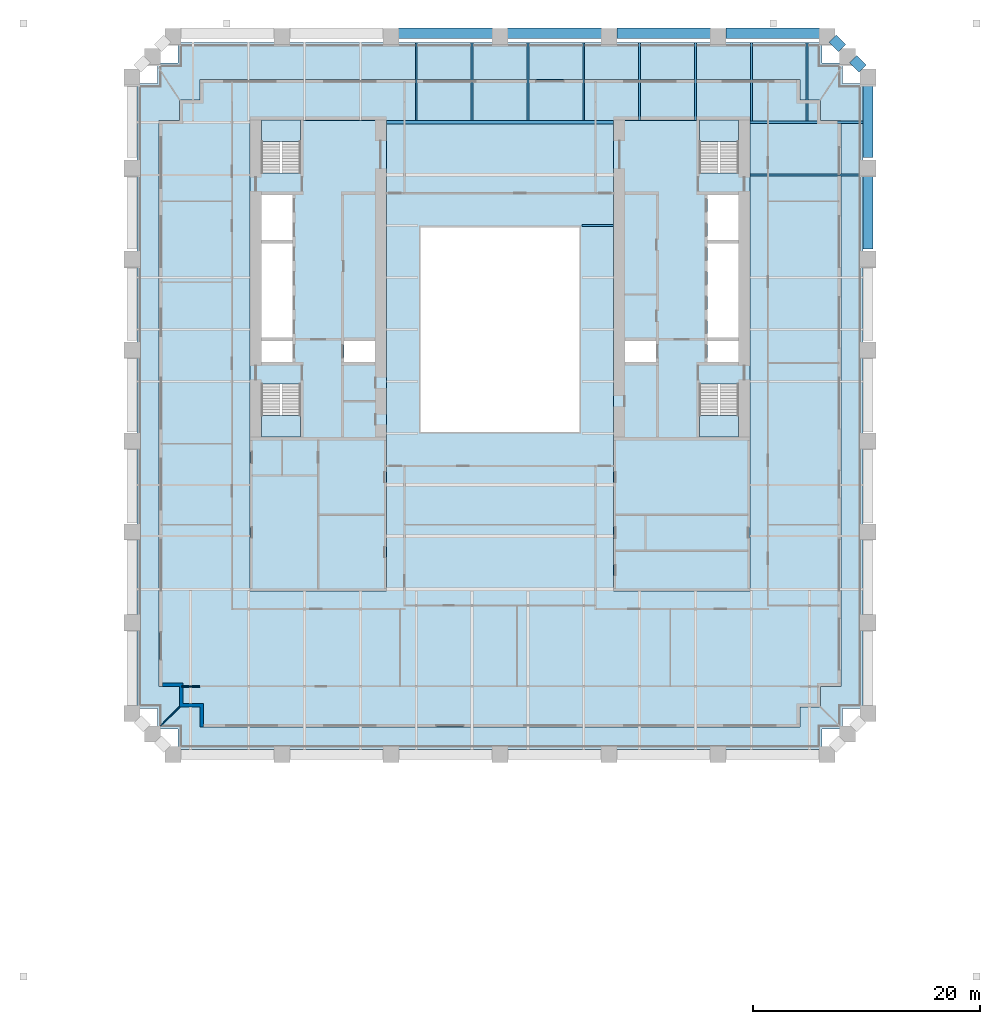
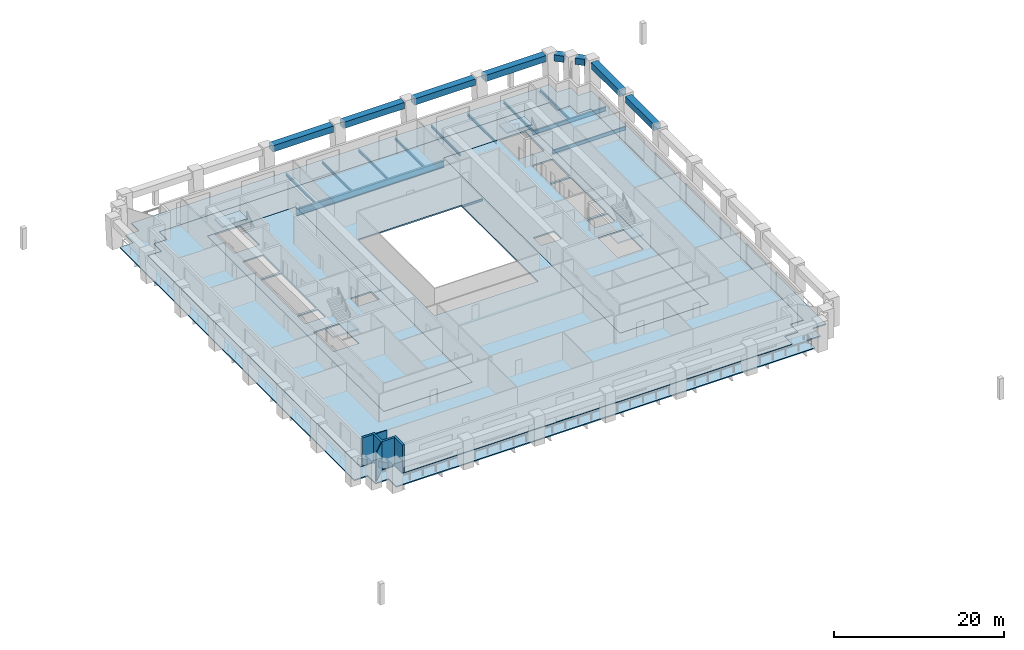
# One storey, part 2 of 10: 20 beams, 8 slabs, 3 walls, 4 elements without a shape of their own.
"""IFC4 building model written with IfcOpenShell, lengths in metres."""

from ifc_helpers import new_model, si_unit, direction, frame, frame_2d, origin, origin_2d, place, context, subcontext, project, spatial, polyline, rectangle, i_section, outline, extrude, material, layer, layer_set, material_profile, profile_set, type_object, element, aggregate, save


model = new_model("IFC4")

# Units and contexts
model_context = context("Model", 3, precision=1e-05, world=origin(), true_north=direction((0.0, 1.0)))
body_context = subcontext(model_context, "Body", "Model", "MODEL_VIEW")
ifc_project = project(units=[si_unit("LENGTHUNIT", "METRE"), si_unit("AREAUNIT", "SQUARE_METRE"), si_unit("VOLUMEUNIT", "CUBIC_METRE"), si_unit("PLANEANGLEUNIT", "RADIAN"), si_unit("MASSUNIT", "GRAM", prefix="KILO")], contexts=[model_context])

# Site, building, storey
site_placement = place(None, origin())
site = spatial("IfcSite", under=ifc_project, at=site_placement, CompositionType="ELEMENT")
building_placement = place(site_placement, origin())
building = spatial("IfcBuilding", under=site, at=building_placement, Name="Ogive Exchange Tower", CompositionType="ELEMENT")
storey_placement = place(building_placement, frame((0.0, 0.0, 48.0)))
storey = spatial("IfcBuildingStorey", under=building, at=storey_placement, Name="L09", CompositionType="ELEMENT", Elevation=48.0)

# Beams
ifc_material_1 = material(Name="Steel ASTM A992 Gr50", Category="steel")
ifc_material_profile_1 = material_profile(ifc_material_1, i_section(OverallWidth=0.1708984375, OverallDepth=0.35595703125, WebThickness=0.00732421875, FlangeThickness=0.01171875, at=origin_2d()), Name="W360x51")
ifc_profile_set_1 = profile_set([ifc_material_profile_1], Name="Steel ASTM A992 Gr50")
beam_type_1 = type_object("IfcBeamType", Name="Floor beam W360x51", PredefinedType="JOIST", material=ifc_profile_set_1)
for number, where, z_axis, x_axis, name in (
    (1, (-7.373046875, 25.39501953125, -0.3779296875), (0.0, 1.0, 0.0), (-1.0, 0.0, 0.0), "Floor beam"),
    (2, (-2.457763671875, 25.39501953125, -0.3779296875), (0.0, 1.0, 0.0), (-1.0, 0.0, 0.0), "Floor beam"),
    (3, (2.457763671875, 25.39501953125, -0.3779296875), (0.0, 1.0, 0.0), (-1.0, 0.0, 0.0), "Floor beam"),
    (4, (7.373046875, 25.39501953125, -0.3779296875), (0.0, 1.0, 0.0), (-1.0, 0.0, 0.0), "Floor beam"),
):
    element("IfcBeam", number, at=place(storey_placement, frame(where, z_axis=z_axis, x_axis=x_axis)), inside=storey, type_object=beam_type_1, Name=name, PredefinedType="JOIST", context=body_context, shape_type="SweptSolid", body=[
        extrude(i_section(OverallWidth=0.1708984375, OverallDepth=0.35595703125, WebThickness=0.00732421875, FlangeThickness=0.01171875, at=origin_2d()), origin(), (0.0, 0.0, 1.0), 6.864013671875),
    ])
for number, where, z_axis, x_axis, name in (
    (5, (12.28857421875, 25.39990234375, -0.3779296875), (0.0, 1.0, 0.0), (-1.0, 0.0, 0.0), "Floor beam"),
    (6, (17.203857421875, 25.39990234375, -0.3779296875), (0.0, 1.0, 0.0), (-1.0, 0.0, 0.0), "Floor beam"),
):
    element("IfcBeam", number, at=place(storey_placement, frame(where, z_axis=z_axis, x_axis=x_axis)), inside=storey, type_object=beam_type_1, Name=name, PredefinedType="JOIST", context=body_context, shape_type="SweptSolid", body=[
        extrude(i_section(OverallWidth=0.1708984375, OverallDepth=0.35595703125, WebThickness=0.00732421875, FlangeThickness=0.01171875, at=origin_2d()), origin(), (0.0, 0.0, 1.0), 6.859130859375),
    ])
for number, where, z_axis, x_axis, name in (
    (7, (22.119140625, 25.35888671875, -0.3779296875), (0.0, 1.0, 0.0), (-1.0, 0.0, 0.0), "Floor beam"),
    (8, (27.03466796875, 25.35888671875, -0.3779296875), (0.0, 1.0, 0.0), (-1.0, 0.0, 0.0), "Floor beam"),
):
    element("IfcBeam", number, at=place(storey_placement, frame(where, z_axis=z_axis, x_axis=x_axis)), inside=storey, type_object=beam_type_1, Name=name, PredefinedType="JOIST", context=body_context, shape_type="SweptSolid", body=[
        extrude(i_section(OverallWidth=0.1708984375, OverallDepth=0.35595703125, WebThickness=0.00732421875, FlangeThickness=0.01171875, at=origin_2d()), origin(), (0.0, 0.0, 1.0), 6.900146484375),
    ])
ifc_material_profile_2 = material_profile(ifc_material_1, i_section(OverallWidth=0.1669921875, OverallDepth=0.535888671875, WebThickness=0.01025390625, FlangeThickness=0.0166015625, at=origin_2d()), Name="W530x85")
ifc_profile_set_2 = profile_set([ifc_material_profile_2], Name="Steel ASTM A992 Gr50")
beam_type_2 = type_object("IfcBeamType", Name="Floor beam W530x85", PredefinedType="JOIST", material=ifc_profile_set_2)
beam_1_placement = place(storey_placement, frame((22.0, 20.62255859375, -0.468017578125), z_axis=(1.0, 0.0, 0.0), x_axis=(0.0, 1.0, 0.0)))
element("IfcBeam", 9, at=beam_1_placement, inside=storey, type_object=beam_type_2, Name="Floor beam", PredefinedType="JOIST", context=body_context, shape_type="SweptSolid", body=[
    extrude(i_section(OverallWidth=0.1669921875, OverallDepth=0.535888671875, WebThickness=0.01025390625, FlangeThickness=0.0166015625, at=origin_2d()), origin(), (0.0, 0.0, 1.0), 9.949951171875),
])
ifc_material_profile_3 = material_profile(ifc_material_1, i_section(OverallWidth=0.300048828125, OverallDepth=0.97998046875, WebThickness=0.0166015625, FlangeThickness=0.026123046875, at=origin_2d()), Name="W1000x249")
ifc_profile_set_3 = profile_set([ifc_material_profile_3], Name="Steel ASTM A992 Gr50")
beam_type_3 = type_object("IfcBeamType", Name="Girder W1000x249", PredefinedType="BEAM", material=ifc_profile_set_3)
beam_2_placement = place(storey_placement, frame((-10.0, 25.2451171875, -0.68994140625), z_axis=(1.0, 0.0, 0.0), x_axis=(0.0, 1.0, 0.0)))
element("IfcBeam", 10, at=beam_2_placement, inside=storey, type_object=beam_type_3, Name="Header girder", PredefinedType="BEAM", context=body_context, shape_type="SweptSolid", body=[
    extrude(i_section(OverallWidth=0.300048828125, OverallDepth=0.97998046875, WebThickness=0.0166015625, FlangeThickness=0.026123046875, at=origin_2d()), origin(), (0.0, 0.0, 1.0), 20.0),
])
ifc_material_profile_4 = material_profile(ifc_material_1, i_section(OverallWidth=0.1650390625, OverallDepth=0.31005859375, WebThickness=0.005859375, FlangeThickness=0.009765625, at=origin_2d()), Name="W310x38.7")
ifc_profile_set_4 = profile_set([ifc_material_profile_4], Name="Steel ASTM A992 Gr50")
beam_type_4 = type_object("IfcBeamType", Name="Girder W310x38.7", PredefinedType="BEAM", material=ifc_profile_set_4)
beam_3_placement = place(storey_placement, frame((7.219970703125, 16.155029296875, -0.35498046875), z_axis=(1.0, 0.0, 0.0), x_axis=(0.0, 1.0, 0.0)))
element("IfcBeam", 11, at=beam_3_placement, inside=storey, type_object=beam_type_4, Name="Trimmer girder", PredefinedType="BEAM", context=body_context, shape_type="SweptSolid", body=[
    extrude(i_section(OverallWidth=0.1650390625, OverallDepth=0.31005859375, WebThickness=0.005859375, FlangeThickness=0.009765625, at=origin_2d()), origin(), (0.0, 0.0, 1.0), 2.780029296875),
])
ifc_material_profile_5 = material_profile(ifc_material_1, i_section(OverallWidth=0.22802734375, OverallDepth=0.60205078125, WebThickness=0.010498046875, FlangeThickness=0.014892578125, at=origin_2d()), Name="W610x101")
ifc_profile_set_5 = profile_set([ifc_material_profile_5], Name="Steel ASTM A992 Gr50")
beam_type_5 = type_object("IfcBeamType", Name="Girder W610x101", PredefinedType="BEAM", material=ifc_profile_set_5)
beam_4_placement = place(storey_placement, frame((22.0, 25.2451171875, -0.5009765625), z_axis=(1.0, 0.0, 0.0), x_axis=(0.0, 1.0, 0.0)))
element("IfcBeam", 12, at=beam_4_placement, inside=storey, type_object=beam_type_5, Name="Header girder", PredefinedType="BEAM", context=body_context, shape_type="SweptSolid", body=[
    extrude(i_section(OverallWidth=0.22802734375, OverallDepth=0.60205078125, WebThickness=0.010498046875, FlangeThickness=0.014892578125, at=origin_2d()), origin(), (0.0, 0.0, 1.0), 9.949951171875),
])
ifc_material_2 = material(Name="Precast concrete C70/85 (limestone faced)", Category="masonry")
ifc_material_profile_6 = material_profile(ifc_material_2, rectangle(XDim=0.89990234375, YDim=0.89990234375, at=origin_2d()), Name="900 x 900")
ifc_profile_set_6 = profile_set([ifc_material_profile_6], Name="Precast concrete C70/85 (limestone faced)")
beam_type_6 = type_object("IfcBeamType", Name="Precast spandrel 900 x 900 C70/85", PredefinedType="SPANDREL", material=ifc_profile_set_6)
for number, where, z_axis, x_axis, name in (
    (13, (32.39990234375, 14.087890625, 3.5), (0.0, 1.0, 0.0), (-1.0, 0.0, 0.0), "Spandrel 14"),
    (14, (32.39990234375, 22.12939453125, 3.5), (0.0, 1.0, 0.0), (-1.0, 0.0, 0.0), "Spandrel 15"),
):
    element("IfcBeam", number, at=place(storey_placement, frame(where, z_axis=z_axis, x_axis=x_axis)), inside=storey, type_object=beam_type_6, Name=name, PredefinedType="SPANDREL", context=body_context, shape_type="SweptSolid", body=[
        extrude(rectangle(XDim=0.89990234375, YDim=0.89990234375, at=origin_2d()), origin(), (0.0, 0.0, 1.0), 6.681396484375),
    ])
for number, where, z_axis, x_axis, name in (
    (15, (31.912109375, 29.978759765625, 3.5), (-0.707106781187, 0.707106781187, 0.0), (-0.707106781187, -0.707106781187, 0.0), "Spandrel 16"),
    (16, (30.112060546875, 31.77880859375, 3.5), (-0.707106781187, 0.707106781187, 0.0), (-0.707106781187, -0.707106781187, 0.0), "Spandrel 17"),
):
    element("IfcBeam", number, at=place(storey_placement, frame(where, z_axis=z_axis, x_axis=x_axis)), inside=storey, type_object=beam_type_6, Name=name, PredefinedType="SPANDREL", context=body_context, shape_type="SweptSolid", body=[
        extrude(rectangle(XDim=0.89990234375, YDim=0.89990234375, at=origin_2d()), origin(), (0.0, 0.0, 1.0), 1.16552734375),
    ])
beam_5_placement = place(storey_placement, frame((28.1201171875, 33.0908203125, 3.5), z_axis=(-1.0, 0.0, 0.0), x_axis=(0.0, -1.0, 0.0)))
element("IfcBeam", 17, at=beam_5_placement, inside=storey, type_object=beam_type_6, Name="Spandrel 18", PredefinedType="SPANDREL", context=body_context, shape_type="SweptSolid", body=[
    extrude(rectangle(XDim=0.89990234375, YDim=0.89990234375, at=origin_2d()), origin(), (0.0, 0.0, 1.0), 8.240234375),
])
for number, where, z_axis, x_axis, name in (
    (18, (18.52001953125, 33.0908203125, 3.5), (-1.0, 0.0, 0.0), (0.0, -1.0, 0.0), "Spandrel 19"),
    (19, (8.919921875, 33.0908203125, 3.5), (-1.0, 0.0, 0.0), (0.0, -1.0, 0.0), "Spandrel 20"),
    (20, (-0.679931640625, 33.0908203125, 3.5), (-1.0, 0.0, 0.0), (0.0, -1.0, 0.0), "Spandrel 21"),
):
    element("IfcBeam", number, at=place(storey_placement, frame(where, z_axis=z_axis, x_axis=x_axis)), inside=storey, type_object=beam_type_6, Name=name, PredefinedType="SPANDREL", context=body_context, shape_type="SweptSolid", body=[
        extrude(rectangle(XDim=0.89990234375, YDim=0.89990234375, at=origin_2d()), origin(), (0.0, 0.0, 1.0), 8.239990234375),
    ])

# Slabs
ifc_material_3 = material(Name="Concrete C50/60", Category="concrete")
ifc_layer_1 = layer(ifc_material_3, 0.199951171875)
ifc_layer_set_1 = layer_set([ifc_layer_1], Name="Composite floor slab 200")
slab_type_1 = type_object("IfcSlabType", Name="Composite floor slab 200", PredefinedType="FLOOR", material=ifc_layer_set_1)
slab_1_placement = place(storey_placement, frame((0.0, 0.0, -0.199951171875)))
element("IfcSlab", 21, at=slab_1_placement, inside=storey, type_object=slab_type_1, Name="Composite floor slab", PredefinedType="FLOOR", context=body_context, shape_type="SweptSolid", body=[
    extrude(outline(polyline([(-26.39990234375, -26.199951171875), (-28.199951171875, -26.199951171875), (-28.199951171875, -24.39990234375), (-30.0, -24.39990234375), (-30.0, 25.39990234375), (-28.199951171875, 25.39990234375), (-28.199951171875, 27.199951171875), (-26.39990234375, 27.199951171875), (-26.39990234375, 29.0), (26.39990234375, 29.0), (26.39990234375, 27.199951171875), (28.199951171875, 27.199951171875), (28.199951171875, 25.39990234375), (30.0, 25.39990234375), (30.0, -24.39990234375), (28.199951171875, -24.39990234375), (28.199951171875, -26.199951171875), (26.39990234375, -26.199951171875), (26.39990234375, -28.0), (-26.39990234375, -28.0), (-26.39990234375, -26.199951171875)]), holes=[polyline([(-10.0, -16.0), (-10.0, 25.39990234375), (-22.0, 25.39990234375), (-22.0, -16.0), (-10.0, -16.0)]), polyline([(10.0, -16.0), (22.0, -16.0), (22.0, 25.39990234375), (10.0, 25.39990234375), (10.0, -16.0)]), polyline([(-7.0, -2.0), (7.0, -2.0), (7.0, 16.0), (-7.0, 16.0), (-7.0, -2.0)])]), origin(), (0.0, 0.0, 1.0), 0.199951171875),
])
ifc_material_4 = material(Name="Concrete C70/85", Category="concrete")
ifc_layer_2 = layer(ifc_material_4, 0.199951171875)
ifc_layer_set_2 = layer_set([ifc_layer_2], Name="Core floor slab 200")
slab_type_2 = type_object("IfcSlabType", Name="Core floor slab 200", PredefinedType="FLOOR", material=ifc_layer_set_2)
slab_2_placement = place(storey_placement, frame((0.0, 0.0, -0.199951171875)))
element("IfcSlab", 22, at=slab_2_placement, inside=storey, type_object=slab_type_2, Name="Core floor slab", PredefinedType="FLOOR", context=body_context, shape_type="SweptSolid", body=[
    extrude(outline(polyline([(-10.0, 25.39990234375), (-10.0, -16.0), (-22.0, -16.0), (-22.0, 25.39990234375), (-21.0, 25.39990234375), (-21.0, 20.803955078125), (-17.550048828125, 20.803955078125), (-17.550048828125, 25.39990234375), (-10.0, 25.39990234375)]), holes=[polyline([(-17.550048828125, 2.196044921875), (-21.0, 2.196044921875), (-21.0, -2.449951171875), (-17.550048828125, -2.449951171875), (-17.550048828125, 2.196044921875)]), polyline([(-18.25, 5.992919921875), (-21.0, 5.992919921875), (-21.0, 4.14990234375), (-18.25, 4.14990234375), (-18.25, 5.992919921875)]), polyline([(-11.0, 5.992919921875), (-13.75, 5.992919921875), (-13.75, 4.14990234375), (-11.0, 4.14990234375), (-11.0, 5.992919921875)]), polyline([(-21.0, 14.564208984375), (-21.0, 6.29296875), (-18.25, 6.29296875), (-18.25, 14.564208984375), (-21.0, 14.564208984375)]), polyline([(-18.25, 18.85009765625), (-21.0, 18.85009765625), (-21.0, 14.8642578125), (-18.25, 14.8642578125), (-18.25, 18.85009765625)])]), origin(), (0.0, 0.0, 1.0), 0.199951171875),
])
slab_3_placement = place(storey_placement, frame((0.0, 0.0, -0.199951171875)))
element("IfcSlab", 23, at=slab_3_placement, inside=storey, type_object=slab_type_2, Name="Core floor slab", PredefinedType="FLOOR", context=body_context, shape_type="SweptSolid", body=[
    extrude(outline(polyline([(22.0, 25.39990234375), (22.0, -16.0), (10.0, -16.0), (10.0, 25.39990234375), (17.550048828125, 25.39990234375), (17.550048828125, 20.803955078125), (21.0, 20.803955078125), (21.0, 25.39990234375), (22.0, 25.39990234375)]), holes=[polyline([(21.0, 2.196044921875), (17.550048828125, 2.196044921875), (17.550048828125, -2.449951171875), (21.0, -2.449951171875), (21.0, 2.196044921875)]), polyline([(13.75, 5.992919921875), (11.0, 5.992919921875), (11.0, 4.14990234375), (13.75, 4.14990234375), (13.75, 5.992919921875)]), polyline([(21.0, 5.992919921875), (18.25, 5.992919921875), (18.25, 4.14990234375), (21.0, 4.14990234375), (21.0, 5.992919921875)]), polyline([(18.25, 14.564208984375), (18.25, 6.29296875), (21.0, 6.29296875), (21.0, 14.564208984375), (18.25, 14.564208984375)]), polyline([(21.0, 18.85009765625), (18.25, 18.85009765625), (18.25, 14.8642578125), (21.0, 14.8642578125), (21.0, 18.85009765625)])]), origin(), (0.0, 0.0, 1.0), 0.199951171875),
])
ifc_layer_3 = layer(ifc_material_3, 0.14990234375)
ifc_layer_set_3 = layer_set([ifc_layer_3], Name="Loggia deck 150")
slab_type_3 = type_object("IfcSlabType", Name="Loggia deck 150", PredefinedType="FLOOR", material=ifc_layer_set_3)
slab_4_placement = place(storey_placement, frame((0.0, 0.0, -0.199951171875)))
element("IfcSlab", 24, at=slab_4_placement, inside=storey, type_object=slab_type_3, Name="Loggia deck", PredefinedType="FLOOR", context=body_context, shape_type="SweptSolid", body=[
    extrude(outline(polyline([(-28.35009765625, -28.14990234375), (-30.14990234375, -28.14990234375), (-30.14990234375, -26.35009765625), (-31.949951171875, -26.35009765625), (-31.949951171875, 28.6591796875), (-30.14990234375, 28.6591796875), (-30.14990234375, 30.458984375), (-28.35009765625, 30.458984375), (-28.35009765625, 32.259033203125), (28.35009765625, 32.259033203125), (28.35009765625, 30.458984375), (30.14990234375, 30.458984375), (30.14990234375, 28.6591796875), (31.949951171875, 28.6591796875), (31.949951171875, -26.35009765625), (30.14990234375, -26.35009765625), (30.14990234375, -28.14990234375), (28.35009765625, -28.14990234375), (28.35009765625, -29.949951171875), (-28.35009765625, -29.949951171875), (-28.35009765625, -28.14990234375)]), holes=[polyline([(26.39990234375, -26.199951171875), (28.199951171875, -26.199951171875), (28.199951171875, -24.39990234375), (30.0, -24.39990234375), (30.0, 25.39990234375), (28.199951171875, 25.39990234375), (28.199951171875, 27.199951171875), (26.39990234375, 27.199951171875), (26.39990234375, 29.0), (-26.39990234375, 29.0), (-26.39990234375, 27.199951171875), (-28.199951171875, 27.199951171875), (-28.199951171875, 25.39990234375), (-30.0, 25.39990234375), (-30.0, -24.39990234375), (-28.199951171875, -24.39990234375), (-28.199951171875, -26.199951171875), (-26.39990234375, -26.199951171875), (-26.39990234375, -28.0), (26.39990234375, -28.0), (26.39990234375, -26.199951171875)])]), origin(), (0.0, 0.0, 1.0), 0.14990234375),
])

# Stair, slab
ifc_material_5 = material(Name="Concrete C40/50", Category="concrete")
stair_type = type_object("IfcStairType", Name="Exit stair 1650 wide", PredefinedType="HALF_TURN_STAIR", material=ifc_material_5)
stair_1_placement = place(storey_placement, origin())
stair_1 = element("IfcStair", 25, at=stair_1_placement, inside=storey, type_object=stair_type, Name="L09 exit stair ST1", PredefinedType="HALF_TURN_STAIR")
ifc_layer_4 = layer(ifc_material_5, 0.199951171875)
ifc_layer_set_4 = layer_set([ifc_layer_4], Name="Stair landing 200 slab")
slab_type_4 = type_object("IfcSlabType", Name="Stair landing 200 slab", PredefinedType="LANDING", material=ifc_layer_set_4)
slab_5_placement = place(storey_placement, frame((0.0, 0.0, 1.89990234375)))
slab_5 = element("IfcSlab", 26, at=slab_5_placement, type_object=slab_type_4, Name="ST1 landing 1", PredefinedType="LANDING", context=body_context, shape_type="SweptSolid", body=[
    extrude(outline(polyline([(-21.0, -0.550048828125), (-21.0, -2.449951171875), (-17.550048828125, -2.449951171875), (-17.550048828125, -0.550048828125), (-21.0, -0.550048828125)])), origin(), (0.0, 0.0, 1.0), 0.2001953125),
])
aggregate(stair_1, [slab_5])

stair_2_placement = place(storey_placement, origin())
stair_2 = element("IfcStair", 27, at=stair_2_placement, inside=storey, type_object=stair_type, Name="L09 exit stair ST2", PredefinedType="HALF_TURN_STAIR")
slab_6_placement = place(storey_placement, frame((0.0, 0.0, 1.89990234375)))
slab_6 = element("IfcSlab", 28, at=slab_6_placement, type_object=slab_type_4, Name="ST2 landing 1", PredefinedType="LANDING", context=body_context, shape_type="SweptSolid", body=[
    extrude(outline(polyline([(-17.550048828125, 23.550048828125), (-17.550048828125, 25.449951171875), (-21.0, 25.449951171875), (-21.0, 23.550048828125), (-17.550048828125, 23.550048828125)])), origin(), (0.0, 0.0, 1.0), 0.2001953125),
])
aggregate(stair_2, [slab_6])

stair_3_placement = place(storey_placement, origin())
stair_3 = element("IfcStair", 29, at=stair_3_placement, inside=storey, type_object=stair_type, Name="L09 exit stair ST3", PredefinedType="HALF_TURN_STAIR")
slab_7_placement = place(storey_placement, frame((0.0, 0.0, 1.89990234375)))
slab_7 = element("IfcSlab", 30, at=slab_7_placement, type_object=slab_type_4, Name="ST3 landing 1", PredefinedType="LANDING", context=body_context, shape_type="SweptSolid", body=[
    extrude(outline(polyline([(17.550048828125, -0.550048828125), (17.550048828125, -2.449951171875), (21.0, -2.449951171875), (21.0, -0.550048828125), (17.550048828125, -0.550048828125)])), origin(), (0.0, 0.0, 1.0), 0.2001953125),
])
aggregate(stair_3, [slab_7])

stair_4_placement = place(storey_placement, origin())
stair_4 = element("IfcStair", 31, at=stair_4_placement, inside=storey, type_object=stair_type, Name="L09 exit stair ST4", PredefinedType="HALF_TURN_STAIR")
slab_8_placement = place(storey_placement, frame((0.0, 0.0, 1.89990234375)))
slab_8 = element("IfcSlab", 32, at=slab_8_placement, type_object=slab_type_4, Name="ST4 landing 1", PredefinedType="LANDING", context=body_context, shape_type="SweptSolid", body=[
    extrude(outline(polyline([(21.0, 23.550048828125), (21.0, 25.449951171875), (17.550048828125, 25.449951171875), (17.550048828125, 23.550048828125), (21.0, 23.550048828125)])), origin(), (0.0, 0.0, 1.0), 0.2001953125),
])
aggregate(stair_4, [slab_8])

# Walls
ifc_material_6 = material(Name="Precast concrete C40/50", Category="concrete")
ifc_layer_5 = layer(ifc_material_6, 0.300048828125)
ifc_layer_set_5 = layer_set([ifc_layer_5], Name="Limestone-faced wall 300")
wall_type_1 = type_object("IfcWallType", Name="Limestone-faced wall 300", PredefinedType="STANDARD", material=ifc_layer_set_5)
wall_1_placement = place(storey_placement, origin())
element("IfcWall", 33, at=wall_1_placement, inside=storey, type_object=wall_type_1, Name="External corner wall C4", PredefinedType="STANDARD", context=body_context, shape_type="SweptSolid", body=[
    extrude(outline(polyline([(-26.39990234375, -26.199951171875), (-28.199951171875, -26.199951171875), (-28.199951171875, -24.39990234375), (-29.699951171875, -24.39990234375), (-29.699951171875, -24.10009765625), (-27.89990234375, -24.10009765625), (-27.89990234375, -25.89990234375), (-26.10009765625, -25.89990234375), (-26.10009765625, -28.0), (-26.39990234375, -28.0), (-26.39990234375, -26.199951171875)])), origin(), (0.0, 0.0, 1.0), 4.0),
])
ifc_material_7 = material(Name="Laminated safety glass in steel frame", Category="steel")
ifc_layer_6 = layer(ifc_material_7, 0.10009765625)
ifc_layer_set_6 = layer_set([ifc_layer_6], Name="Loggia end screen 100")
wall_type_2 = type_object("IfcWallType", Name="Loggia end screen 100", PredefinedType="STANDARD", material=ifc_layer_set_6)
wall_2_placement = place(storey_placement, frame((-28.199951171875, -26.199951171875, -0.050048828125), z_axis=(0.0, 0.0, 1.0), x_axis=(-0.707106781187, -0.707106781187, 0.0)))
element("IfcWall", 34, at=wall_2_placement, inside=storey, type_object=wall_type_2, Name="Loggia end screen C4", PredefinedType="STANDARD", context=body_context, shape_type="SweptSolid", body=[
    extrude(rectangle(XDim=2.384521484375, YDim=0.10009765625, at=frame_2d((1.1923828125, 0.0))), origin(), (0.0, 0.0, 1.0), 4.050048828125),
])
ifc_material_8 = material(Name="Partition 100 gypsum")
ifc_layer_7 = layer(ifc_material_8, 0.10009765625)
ifc_layer_set_7 = layer_set([ifc_layer_7], Name="Partition 100 gypsum")
wall_type_3 = type_object("IfcWallType", Name="Partition 100 gypsum", PredefinedType="PARTITIONING", material=ifc_layer_set_7)
wall_3_placement = place(storey_placement, frame((-28.0, -24.409912109375, 0.0), z_axis=(0.0, 0.0, 1.0), x_axis=(1.0, 0.0, 0.0)))
element("IfcWall", 35, at=wall_3_placement, inside=storey, type_object=wall_type_3, Name="L09-PWL-004", PredefinedType="PARTITIONING", context=body_context, shape_type="SweptSolid", body=[
    extrude(rectangle(XDim=1.590087890625, YDim=0.10009765625, at=frame_2d((0.794921875, 0.0))), origin(), (0.0, 0.0, 1.0), 4.0),
])

save(model, "model.ifc")
